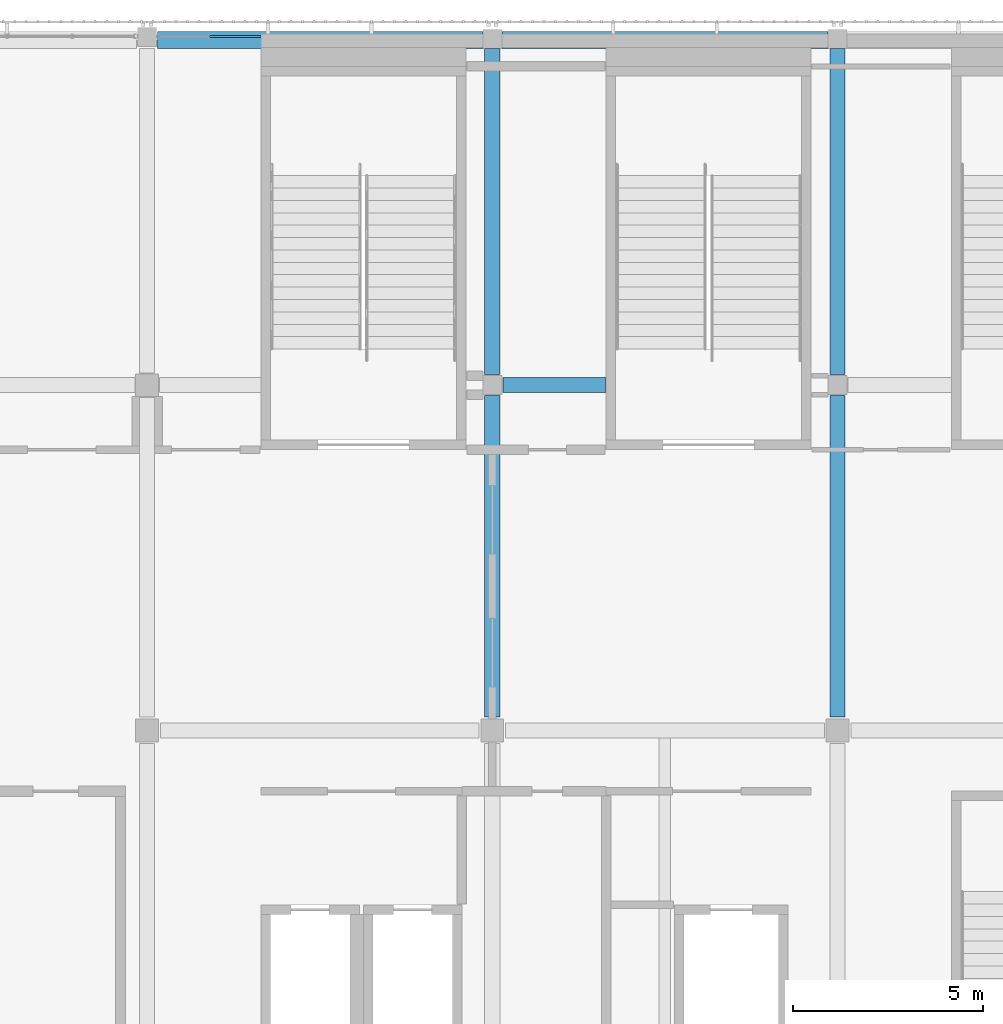
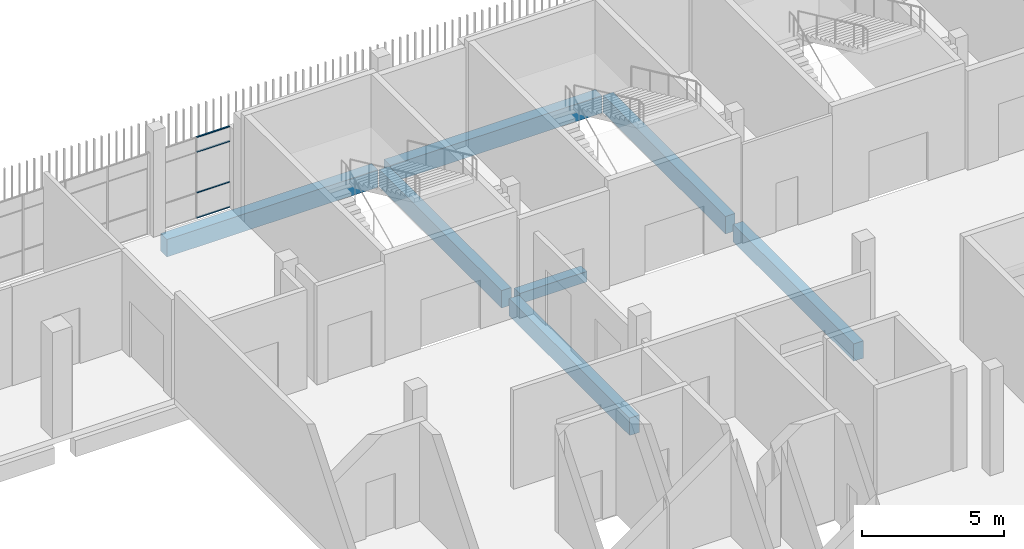
# One storey, part 49 of 124: 7 beams, 4 members, 1 element without a shape of its own.
"""IFC4 building model written with IfcOpenShell, lengths in metres."""

from ifc_helpers import new_model, si_unit, direction, frame, origin, origin_2d, place, context, subcontext, project, spatial, rectangle, hollow_rectangle, extrude, material, layer, layer_set, material_profile, profile_set, type_object, element, aggregate, save


model = new_model("IFC4")

# Units and contexts
model_context = context("Model", 3, precision=1e-05, world=origin(), true_north=direction((0.0, 1.0)))
body_context = subcontext(model_context, "Body", "Model", "MODEL_VIEW")
ifc_project = project(units=[si_unit("LENGTHUNIT", "METRE"), si_unit("AREAUNIT", "SQUARE_METRE"), si_unit("VOLUMEUNIT", "CUBIC_METRE"), si_unit("PLANEANGLEUNIT", "RADIAN"), si_unit("MASSUNIT", "GRAM", prefix="KILO")], contexts=[model_context])

# Site, building, storey
site_placement = place(None, origin())
site = spatial("IfcSite", under=ifc_project, at=site_placement, CompositionType="ELEMENT")
building_placement = place(site_placement, origin())
building = spatial("IfcBuilding", under=site, at=building_placement, Name="Shirokan Park Arena", CompositionType="ELEMENT")
storey_placement = place(building_placement, frame((0.0, 0.0, 20.02001953125)))
storey = spatial("IfcBuildingStorey", under=building, at=storey_placement, Name="L04", CompositionType="ELEMENT", Elevation=20.02001953125)

# Beams
ifc_material_1 = material(Name="Concrete C35", Category="concrete")
ifc_material_profile_1 = material_profile(ifc_material_1, rectangle(XDim=0.39990234375, YDim=0.75, at=origin_2d()), Name="400x750")
ifc_profile_set_1 = profile_set([ifc_material_profile_1], Name="Concrete C35")
beam_type_1 = type_object("IfcBeamType", Name="RC girder 400x750", PredefinedType="BEAM", material=ifc_profile_set_1)
beam_1_placement = place(storey_placement, frame((118.300048828125, 91.35009765625, -0.625), z_axis=(0.0, 1.0, 0.0), x_axis=(-1.0, 0.0, 0.0)))
element("IfcBeam", 1, at=beam_1_placement, inside=storey, type_object=beam_type_1, Name="Girder 14L-14M L04", PredefinedType="BEAM", context=body_context, shape_type="SweptSolid", body=[
    extrude(rectangle(XDim=0.39990234375, YDim=0.75, at=origin_2d()), origin(), (0.0, 0.0, 1.0), 8.474853515625),
])
beam_2_placement = place(storey_placement, frame((118.300048828125, 100.375, -0.625), z_axis=(0.0, 1.0, 0.0), x_axis=(-1.0, 0.0, 0.0)))
element("IfcBeam", 2, at=beam_2_placement, inside=storey, type_object=beam_type_1, Name="Girder 14M-14N L04", PredefinedType="BEAM", context=body_context, shape_type="SweptSolid", body=[
    extrude(rectangle(XDim=0.39990234375, YDim=0.75, at=origin_2d()), origin(), (0.0, 0.0, 1.0), 8.599853515625),
])
beam_3_placement = place(storey_placement, frame((127.39990234375, 91.35009765625, -0.625), z_axis=(0.0, 1.0, 0.0), x_axis=(-1.0, 0.0, 0.0)))
element("IfcBeam", 3, at=beam_3_placement, inside=storey, type_object=beam_type_1, Name="Girder 15L-15M L04", PredefinedType="BEAM", context=body_context, shape_type="SweptSolid", body=[
    extrude(rectangle(XDim=0.39990234375, YDim=0.75, at=origin_2d()), origin(), (0.0, 0.0, 1.0), 8.474853515625),
])
beam_4_placement = place(storey_placement, frame((127.39990234375, 100.375, -0.625), z_axis=(0.0, 1.0, 0.0), x_axis=(-1.0, 0.0, 0.0)))
element("IfcBeam", 4, at=beam_4_placement, inside=storey, type_object=beam_type_1, Name="Girder 15M-15N L04", PredefinedType="BEAM", context=body_context, shape_type="SweptSolid", body=[
    extrude(rectangle(XDim=0.39990234375, YDim=0.75, at=origin_2d()), origin(), (0.0, 0.0, 1.0), 8.599853515625),
])
ifc_material_profile_2 = material_profile(ifc_material_1, rectangle(XDim=0.449951171875, YDim=0.75, at=origin_2d()), Name="450x750")
ifc_profile_set_2 = profile_set([ifc_material_profile_2], Name="Concrete C35")
beam_type_2 = type_object("IfcBeamType", Name="RC girder 450x750", PredefinedType="BEAM", material=ifc_profile_set_2)
beam_5_placement = place(storey_placement, frame((109.47509765625, 109.199951171875, -0.625), z_axis=(1.0, 0.0, 0.0), x_axis=(0.0, 1.0, 0.0)))
element("IfcBeam", 5, at=beam_5_placement, inside=storey, type_object=beam_type_2, Name="Girder 13N-14N L04", PredefinedType="BEAM", context=body_context, shape_type="SweptSolid", body=[
    extrude(rectangle(XDim=0.449951171875, YDim=0.75, at=origin_2d()), origin(), (0.0, 0.0, 1.0), 8.57470703125),
])
beam_6_placement = place(storey_placement, frame((118.550048828125, 109.199951171875, -0.625), z_axis=(1.0, 0.0, 0.0), x_axis=(0.0, 1.0, 0.0)))
element("IfcBeam", 6, at=beam_6_placement, inside=storey, type_object=beam_type_2, Name="Girder 14N-15N L04", PredefinedType="BEAM", context=body_context, shape_type="SweptSolid", body=[
    extrude(rectangle(XDim=0.449951171875, YDim=0.75, at=origin_2d()), origin(), (0.0, 0.0, 1.0), 8.599853515625),
])
ifc_material_profile_3 = material_profile(ifc_material_1, rectangle(XDim=0.39990234375, YDim=0.449951171875, at=origin_2d()), Name="400x450")
ifc_profile_set_3 = profile_set([ifc_material_profile_3], Name="Concrete C35")
beam_type_3 = type_object("IfcBeamType", Name="RC trimmer 400x450", PredefinedType="BEAM", material=ifc_profile_set_3)
beam_7_placement = place(storey_placement, frame((118.5751953125, 100.10009765625, -0.47509765625), z_axis=(1.0, 0.0, 0.0), x_axis=(0.0, 1.0, 0.0)))
element("IfcBeam", 7, at=beam_7_placement, inside=storey, type_object=beam_type_3, Name="Girder 14M-15M L04", PredefinedType="BEAM", context=body_context, shape_type="SweptSolid", body=[
    extrude(rectangle(XDim=0.39990234375, YDim=0.449951171875, at=origin_2d()), origin(), (0.0, 0.0, 1.0), 2.724853515625),
])

# Curtain wall, members
ifc_material_2 = material(Name="Steel and glass curtain wall", Category="steel")
ifc_layer = layer(ifc_material_2, 0.1201171875)
ifc_layer_set = layer_set([ifc_layer], Name="Steel and glass curtain wall 120 mm")
curtain_wall_type = type_object("IfcCurtainWallType", Name="Curtain wall corner block side bay 120", PredefinedType="NOTDEFINED", material=ifc_layer_set)
curtain_wall_placement = place(storey_placement, origin())
curtain_wall = element("IfcCurtainWall", 8, at=curtain_wall_placement, inside=storey, type_object=curtain_wall_type, Name="Curtain wall north bay 4 L04", PredefinedType="NOTDEFINED")
ifc_material_3 = material(Name="Steel S355", Category="steel")
ifc_material_profile_4 = material_profile(ifc_material_3, hollow_rectangle(XDim=0.06005859375, YDim=0.0400390625, WallThickness=0.00390625, at=origin_2d()), Name="RHS 60x40x4")
ifc_profile_set_4 = profile_set([ifc_material_profile_4], Name="Steel S355")
member_type = type_object("IfcMemberType", Name="Transom RHS 60x40x4", PredefinedType="MULLION", material=ifc_profile_set_4)
member_1_placement = place(storey_placement, frame((112.199951171875, 109.2900390625, 0.02001953125), z_axis=(-1.0, 0.0, 0.0), x_axis=(0.0, -1.0, 0.0)))
member_1 = element("IfcMember", 9, at=member_1_placement, type_object=member_type, Name="CW3 transom 1.1", PredefinedType="MULLION", context=body_context, shape_type="SweptSolid", body=[
    extrude(hollow_rectangle(XDim=0.06005859375, YDim=0.0400390625, WallThickness=0.00390625, at=origin_2d()), origin(), (0.0, 0.0, 1.0), 1.349853515625),
])
member_2_placement = place(storey_placement, frame((112.199951171875, 109.2900390625, 1.10009765625), z_axis=(-1.0, 0.0, 0.0), x_axis=(0.0, -1.0, 0.0)))
member_2 = element("IfcMember", 10, at=member_2_placement, type_object=member_type, Name="CW3 transom 1.2", PredefinedType="MULLION", context=body_context, shape_type="SweptSolid", body=[
    extrude(hollow_rectangle(XDim=0.06005859375, YDim=0.0400390625, WallThickness=0.00390625, at=origin_2d()), origin(), (0.0, 0.0, 1.0), 1.349853515625),
])
member_3_placement = place(storey_placement, frame((112.199951171875, 109.2900390625, 2.85009765625), z_axis=(-1.0, 0.0, 0.0), x_axis=(0.0, -1.0, 0.0)))
member_3 = element("IfcMember", 11, at=member_3_placement, type_object=member_type, Name="CW3 transom 1.3", PredefinedType="MULLION", context=body_context, shape_type="SweptSolid", body=[
    extrude(hollow_rectangle(XDim=0.06005859375, YDim=0.0400390625, WallThickness=0.00390625, at=origin_2d()), origin(), (0.0, 0.0, 1.0), 1.349853515625),
])
member_4_placement = place(storey_placement, frame((112.199951171875, 109.2900390625, 3.47998046875), z_axis=(-1.0, 0.0, 0.0), x_axis=(0.0, -1.0, 0.0)))
member_4 = element("IfcMember", 12, at=member_4_placement, type_object=member_type, Name="CW3 transom 1.4", PredefinedType="MULLION", context=body_context, shape_type="SweptSolid", body=[
    extrude(hollow_rectangle(XDim=0.06005859375, YDim=0.0400390625, WallThickness=0.00390625, at=origin_2d()), origin(), (0.0, 0.0, 1.0), 1.349853515625),
])
aggregate(curtain_wall, [member_1, member_2, member_3, member_4])

save(model, "model.ifc")
